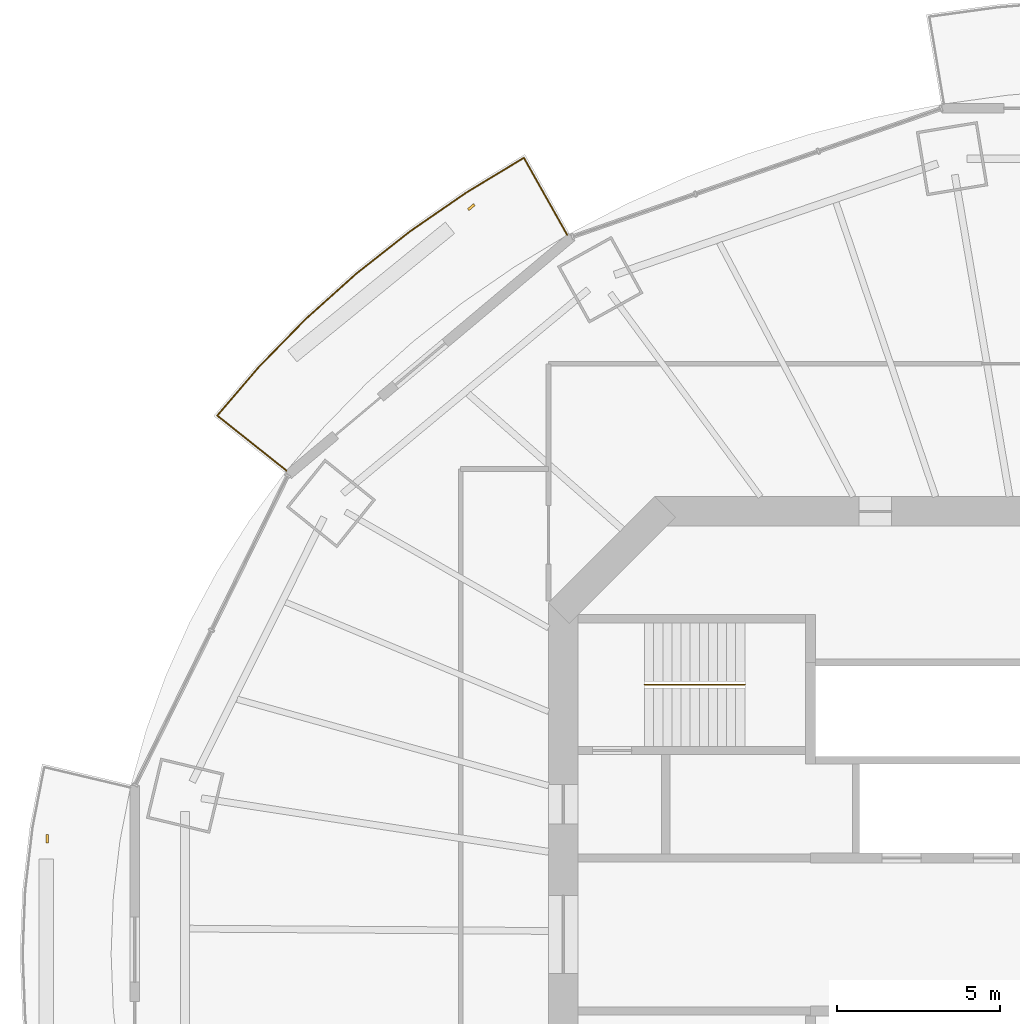
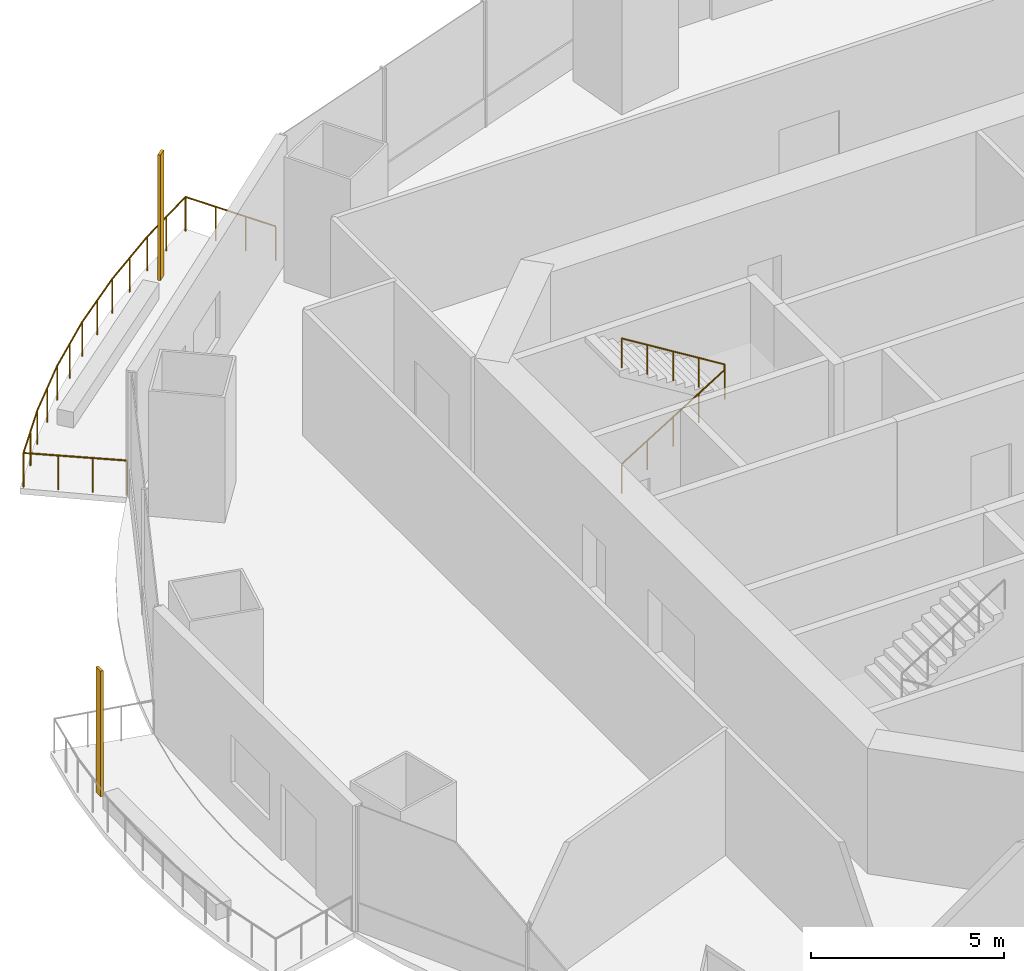
# One storey, part 18 of 21: 2 railings, 2 shading devices.
"""IFC4 building model written with IfcOpenShell, lengths in metres."""

from ifc_helpers import new_model, si_unit, direction, frame, origin, origin_2d, place, context, subcontext, project, spatial, rectangle, circle, extrude, material, material_profile, profile_set, type_object, element, save


model = new_model("IFC4")

# Units and contexts
model_context = context("Model", 3, precision=1e-05, world=origin(), true_north=direction((0.0, 1.0)))
body_context = subcontext(model_context, "Body", "Model", "MODEL_VIEW")
ifc_project = project(units=[si_unit("LENGTHUNIT", "METRE"), si_unit("AREAUNIT", "SQUARE_METRE"), si_unit("VOLUMEUNIT", "CUBIC_METRE"), si_unit("PLANEANGLEUNIT", "RADIAN"), si_unit("MASSUNIT", "GRAM", prefix="KILO")], contexts=[model_context])

# Site, building, storey
site_placement = place(None, origin())
site = spatial("IfcSite", under=ifc_project, at=site_placement, CompositionType="ELEMENT")
building_placement = place(site_placement, origin())
building = spatial("IfcBuilding", under=site, at=building_placement, Name="Marenthal Gate Tower", CompositionType="ELEMENT")
storey_placement = place(building_placement, frame((0.0, 0.0, 198.39990234375)))
storey = spatial("IfcBuildingStorey", under=building, at=storey_placement, Name="L43", CompositionType="ELEMENT", Elevation=198.39990234375)

# Railings
ifc_material_1 = material(Name="Stainless steel", Category="steel")
railing_type_1 = type_object("IfcRailingType", Name="Balcony guard 1100", PredefinedType="GUARDRAIL", material=ifc_material_1)
railing_1_placement = place(storey_placement, frame((-24.5009765625, 14.2490234375, 0.0)))
element("IfcRailing", 1, at=railing_1_placement, inside=storey, type_object=railing_type_1, Name="Balcony guard L43 bay 6", PredefinedType="GUARDRAIL", context=body_context, shape_type="SweptSolid", body=[
    extrude(circle(Radius=0.02392578125, at=origin_2d()), frame((0.0, 0.0, 1.076171875), z_axis=(-0.782733891957, 0.622184599053, -0.014628023892), x_axis=(-0.622251176983, -0.782817649739, 0.0)), (0.0, 0.0, 1.0), 2.720458984375),
    extrude(circle(Radius=0.02392578125, at=origin_2d()), frame((-2.12939453125, 1.692626953125, 1.0361328125), z_axis=(0.650106163754, 0.759843389028, 0.0), x_axis=(-0.759843389028, 0.650106163754, 0.0)), (0.0, 0.0, 1.0), 1.966796875),
    extrude(circle(Radius=0.02392578125, at=origin_2d()), frame((-0.850830078125, 3.18701171875, 1.0361328125), z_axis=(0.698897192243, 0.715222143585, 0.0), x_axis=(-0.715222143585, 0.698897192243, 0.0)), (0.0, 0.0, 1.0), 2.063720703125),
    extrude(circle(Radius=0.02392578125, at=origin_2d()), frame((0.591552734375, 4.6630859375, 1.0361328125), z_axis=(0.744476957646, 0.667648155494, 0.0), x_axis=(-0.667648155494, 0.744476957646, 0.0)), (0.0, 0.0, 1.0), 2.081298828125),
    extrude(circle(Radius=0.02392578125, at=origin_2d()), frame((2.14111328125, 6.052734375, 1.0361328125), z_axis=(0.785971142181, 0.618263183166, 0.0), x_axis=(-0.618263183166, 0.785971142181, 0.0)), (0.0, 0.0, 1.0), 2.09912109375),
    extrude(circle(Radius=0.02392578125, at=origin_2d()), frame((3.791015625, 7.3505859375, 1.0361328125), z_axis=(0.823307575665, 0.56759548611, 0.0), x_axis=(-0.56759548611, 0.823307575665, 0.0)), (0.0, 0.0, 1.0), 2.11669921875),
    extrude(circle(Radius=0.02392578125, at=origin_2d()), frame((5.53369140625, 8.552001953125, 1.0361328125), z_axis=(0.856221203989, 0.516609378389, 0.0), x_axis=(-0.516609378389, 0.856221203989, 0.0)), (0.0, 0.0, 1.0), 2.053955078125),
    extrude(circle(Radius=0.02392578125, at=origin_2d()), frame((7.292236328125, 9.613037109375, 1.0361328125), z_axis=(0.489586525261, -0.871831990172, 0.014629258225), x_axis=(0.871925297796, 0.48963892315, 0.0)), (0.0, 0.0, 1.0), 2.72021484375),
    extrude(circle(Radius=0.02099609375, at=origin_2d()), origin(), (0.0, 0.0, 1.0), 1.052001953125),
    extrude(circle(Radius=0.02099609375, at=origin_2d()), frame((-0.709716796875, 0.564208984375, -0.01318359375)), (0.0, 0.0, 1.0), 1.052001953125),
    extrude(circle(Radius=0.02099609375, at=origin_2d()), frame((-1.419677734375, 1.12841796875, -0.026611328125)), (0.0, 0.0, 1.0), 1.052001953125),
    extrude(circle(Radius=0.02099609375, at=origin_2d()), frame((-2.12939453125, 1.692626953125, -0.039794921875)), (0.0, 0.0, 1.0), 1.052001953125),
    extrude(circle(Radius=0.02099609375, at=origin_2d()), frame((-1.490234375, 2.43994140625, -0.039794921875)), (0.0, 0.0, 1.0), 1.052001953125),
    extrude(circle(Radius=0.02099609375, at=origin_2d()), frame((-0.850830078125, 3.18701171875, -0.039794921875)), (0.0, 0.0, 1.0), 1.052001953125),
    extrude(circle(Radius=0.02099609375, at=origin_2d()), frame((-0.129638671875, 3.925048828125, -0.039794921875)), (0.0, 0.0, 1.0), 1.052001953125),
    extrude(circle(Radius=0.02099609375, at=origin_2d()), frame((0.591552734375, 4.6630859375, -0.039794921875)), (0.0, 0.0, 1.0), 1.052001953125),
    extrude(circle(Radius=0.02099609375, at=origin_2d()), frame((1.3662109375, 5.35791015625, -0.039794921875)), (0.0, 0.0, 1.0), 1.052001953125),
    extrude(circle(Radius=0.02099609375, at=origin_2d()), frame((2.14111328125, 6.052734375, -0.039794921875)), (0.0, 0.0, 1.0), 1.052001953125),
    extrude(circle(Radius=0.02099609375, at=origin_2d()), frame((2.966064453125, 6.70166015625, -0.039794921875)), (0.0, 0.0, 1.0), 1.052001953125),
    extrude(circle(Radius=0.02099609375, at=origin_2d()), frame((3.791015625, 7.3505859375, -0.039794921875)), (0.0, 0.0, 1.0), 1.052001953125),
    extrude(circle(Radius=0.02099609375, at=origin_2d()), frame((4.662353515625, 7.951171875, -0.039794921875)), (0.0, 0.0, 1.0), 1.052001953125),
    extrude(circle(Radius=0.02099609375, at=origin_2d()), frame((5.53369140625, 8.552001953125, -0.039794921875)), (0.0, 0.0, 1.0), 1.052001953125),
    extrude(circle(Radius=0.02099609375, at=origin_2d()), frame((6.4130859375, 9.08251953125, -0.039794921875)), (0.0, 0.0, 1.0), 1.052001953125),
    extrude(circle(Radius=0.02099609375, at=origin_2d()), frame((7.292236328125, 9.613037109375, -0.039794921875)), (0.0, 0.0, 1.0), 1.052001953125),
    extrude(circle(Radius=0.02099609375, at=origin_2d()), frame((7.736083984375, 8.822509765625, -0.026611328125)), (0.0, 0.0, 1.0), 1.052001953125),
    extrude(circle(Radius=0.02099609375, at=origin_2d()), frame((8.18017578125, 8.031982421875, -0.01318359375)), (0.0, 0.0, 1.0), 1.052001953125),
    extrude(circle(Radius=0.02099609375, at=origin_2d()), frame((8.6240234375, 7.241455078125, 0.0)), (0.0, 0.0, 1.0), 1.052001953125),
])
ifc_material_2 = material(Name="Stainless steel", Category="steel")
railing_type_2 = type_object("IfcRailingType", Name="Stair handrail", PredefinedType="HANDRAIL", material=ifc_material_2)
railing_2_placement = place(storey_placement, frame((-13.5, 7.675048828125, 0.173095703125)))
element("IfcRailing", 2, at=railing_2_placement, inside=storey, type_object=railing_type_2, Name="Handrail ST1", PredefinedType="HANDRAIL", context=body_context, shape_type="SweptSolid", body=[
    extrude(circle(Radius=0.0224609375, at=origin_2d()), frame((0.0, 0.0, 0.927490234375), z_axis=(0.850835241893, 0.0, 0.525432575268), x_axis=(0.0, 1.0, 0.0)), (0.0, 0.0, 1.0), 3.6201171875),
    extrude(circle(Radius=0.0224609375, at=origin_2d()), frame((3.080078125, 0.0, 2.82958984375), z_axis=(0.0, 0.0, 1.0), x_axis=(1.0, 0.0, 0.0)), (0.0, 0.0, 1.0), 0.1728515625),
    extrude(circle(Radius=0.0224609375, at=origin_2d()), frame((3.080078125, 0.0, 3.00244140625), z_axis=(-0.850835241893, 0.0, 0.525432575268), x_axis=(0.0, -1.0, 0.0)), (0.0, 0.0, 1.0), 3.6201171875),
    extrude(circle(Radius=0.02001953125, at=origin_2d()), origin(), (0.0, 0.0, 1.0), 0.905029296875),
    extrude(circle(Radius=0.02001953125, at=origin_2d()), frame((0.77001953125, 0.0, 0.4755859375)), (0.0, 0.0, 1.0), 0.905029296875),
    extrude(circle(Radius=0.02001953125, at=origin_2d()), frame((1.5400390625, 0.0, 0.951171875)), (0.0, 0.0, 1.0), 0.905029296875),
    extrude(circle(Radius=0.02001953125, at=origin_2d()), frame((2.31005859375, 0.0, 1.426513671875)), (0.0, 0.0, 1.0), 0.905029296875),
    extrude(circle(Radius=0.02001953125, at=origin_2d()), frame((3.080078125, 0.0, 1.902099609375)), (0.0, 0.0, 1.0), 0.905029296875),
    extrude(circle(Radius=0.02001953125, at=origin_2d()), frame((3.080078125, 0.0, 2.074951171875)), (0.0, 0.0, 1.0), 0.905029296875),
    extrude(circle(Radius=0.02001953125, at=origin_2d()), frame((2.31005859375, 0.0, 2.550537109375)), (0.0, 0.0, 1.0), 0.905029296875),
    extrude(circle(Radius=0.02001953125, at=origin_2d()), frame((1.5400390625, 0.0, 3.02587890625)), (0.0, 0.0, 1.0), 0.905029296875),
    extrude(circle(Radius=0.02001953125, at=origin_2d()), frame((0.77001953125, 0.0, 3.50146484375)), (0.0, 0.0, 1.0), 0.905029296875),
    extrude(circle(Radius=0.02001953125, at=origin_2d()), frame((0.0, 0.0, 3.97705078125)), (0.0, 0.0, 1.0), 0.905029296875),
])

# Shading devices
ifc_material_3 = material(Name="Terracotta", Category="masonry")
ifc_material_profile = material_profile(ifc_material_3, rectangle(XDim=0.25, YDim=0.080078125, at=origin_2d()), Name="Terracotta baguette 250x80")
ifc_profile_set = profile_set([ifc_material_profile], Name="Terracotta")
shading_device_type = type_object("IfcShadingDeviceType", Name="Terracotta BAGUETTE SCREEN 250x80", PredefinedType="USERDEFINED", material=ifc_profile_set)
for number, where, z_axis, x_axis, name in (
    (3, (-18.82421875, 22.34619140625, -0.039794921875), (0.0, 0.0, 1.0), (-0.765704864788, -0.643192086425, 0.0), "Terracotta BAGUETTE L43 bay 6L"),
    (4, (-31.860107421875, 2.937744140625, -0.039794921875), (0.0, 0.0, 1.0), (0.0, -1.0, 0.0), "Terracotta BAGUETTE L43 bay 8L"),
):
    element("IfcShadingDevice", number, at=place(storey_placement, frame(where, z_axis=z_axis, x_axis=x_axis)), inside=storey, type_object=shading_device_type, Name=name, ObjectType="BAGUETTE SCREEN", PredefinedType="USERDEFINED", context=body_context, shape_type="SweptSolid", body=[
        extrude(rectangle(XDim=0.25, YDim=0.080078125, at=origin_2d()), origin(), (0.0, 0.0, 1.0), 3.969970703125),
    ])

save(model, "model.ifc")
